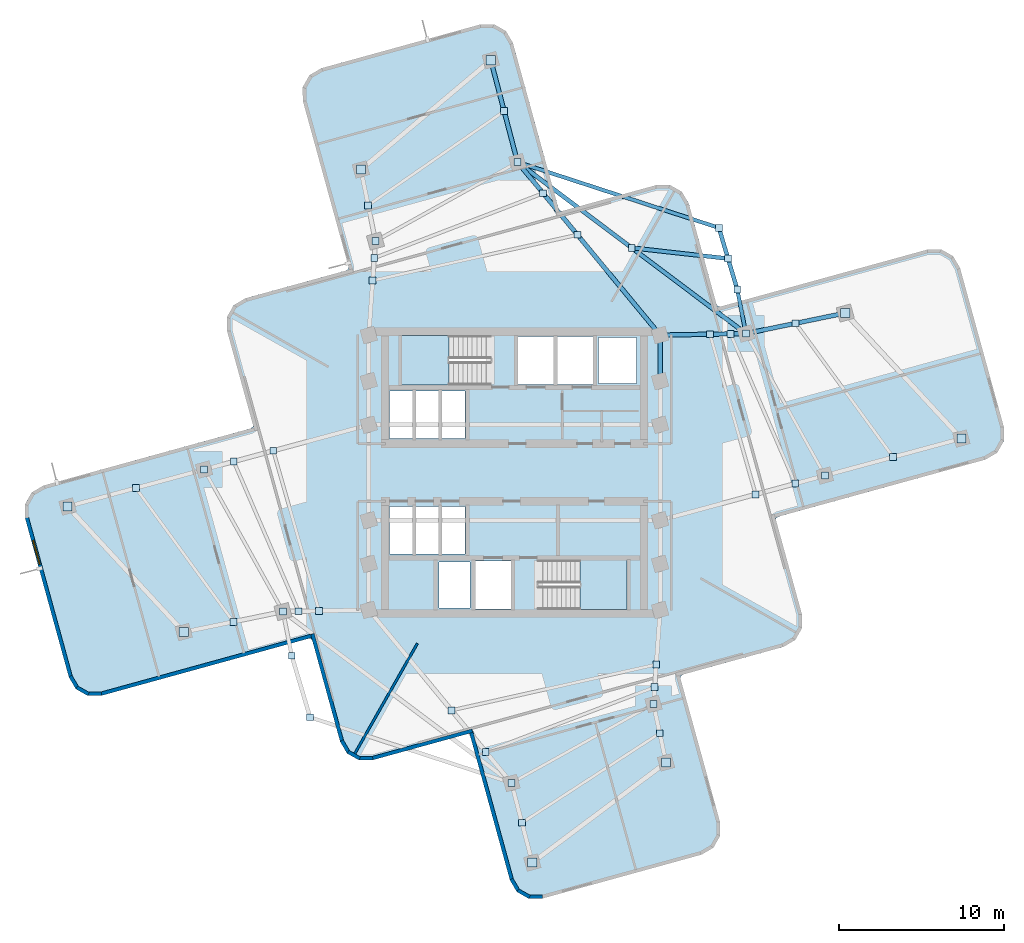
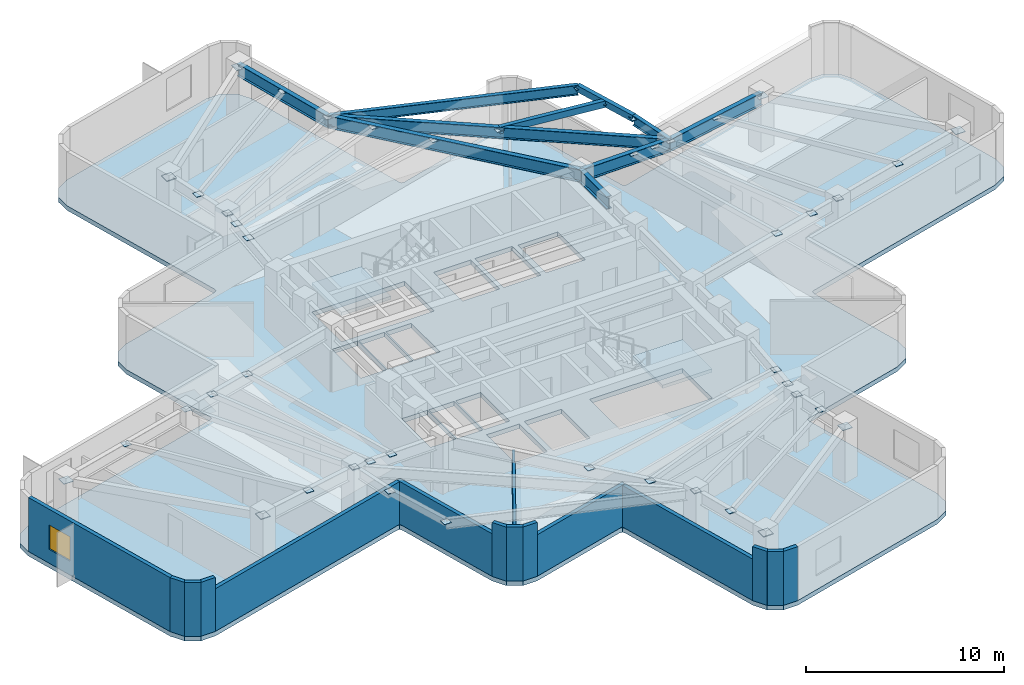
# One storey, part 2 of 8: 46 plates, 15 walls, 10 beams, 3 slabs, 1 window, 1 opening, 2 elements without a shape of their own.
"""IFC4 building model written with IfcOpenShell, lengths in metres."""

from ifc_helpers import new_model, si_unit, direction, frame, frame_2d, origin, origin_2d, place, context, subcontext, project, spatial, polyline, rectangle, hollow_rectangle, i_section, outline, extrude, material, layer, layer_set, material_profile, profile_set, type_object, element, fill, aggregate, save


model = new_model("IFC4")

# Units and contexts
model_context = context("Model", 3, precision=1e-05, world=origin(), true_north=direction((0.0, 1.0)))
body_context = subcontext(model_context, "Body", "Model", "MODEL_VIEW")
ifc_project = project(units=[si_unit("LENGTHUNIT", "METRE"), si_unit("AREAUNIT", "SQUARE_METRE"), si_unit("VOLUMEUNIT", "CUBIC_METRE"), si_unit("PLANEANGLEUNIT", "RADIAN"), si_unit("MASSUNIT", "GRAM", prefix="KILO")], contexts=[model_context])

# Site, building, storey
site_placement = place(None, origin())
site = spatial("IfcSite", under=ifc_project, at=site_placement, CompositionType="ELEMENT")
building_placement = place(site_placement, origin())
building = spatial("IfcBuilding", under=site, at=building_placement, Name="Solmarez Civic Tower", CompositionType="ELEMENT")
storey_placement = place(building_placement, frame((0.0, 0.0, 137.8798828125)))
storey = spatial("IfcBuildingStorey", under=building, at=storey_placement, Name="L36", CompositionType="ELEMENT", Elevation=137.8798828125)

# Beams
ifc_material_1 = material(Name="Steel S355", Category="steel")
ifc_material_profile_1 = material_profile(ifc_material_1, i_section(OverallWidth=0.25390625, OverallDepth=0.68798828125, WebThickness=0.01318359375, FlangeThickness=0.02099609375, at=origin_2d()), Name="W27X102")
ifc_profile_set_1 = profile_set([ifc_material_profile_1], Name="Steel S355")
beam_type_1 = type_object("IfcBeamType", Name="BM-PR-W27X102", PredefinedType="BEAM", material=ifc_profile_set_1)
beam_1_placement = place(storey_placement, frame((14.06396484375, 8.445068359375, 2.97607421875), z_axis=(-0.799878431775, 0.600162056766, 0.0), x_axis=(-0.600162056766, -0.799878431775, 0.0)))
element("IfcBeam", 1, at=beam_1_placement, inside=storey, type_object=beam_type_1, Name="L36 Primary Floor Beam BM-L36-BALC-NEC", PredefinedType="BEAM", context=body_context, shape_type="SweptSolid", body=[
    extrude(i_section(OverallWidth=0.25390625, OverallDepth=0.68798828125, WebThickness=0.01318359375, FlangeThickness=0.02099609375, at=origin_2d()), origin(), (0.0, 0.0, 1.0), 17.353759765625),
])
ifc_material_profile_2 = material_profile(ifc_material_1, i_section(OverallWidth=0.26708984375, OverallDepth=0.761962890625, WebThickness=0.014404296875, FlangeThickness=0.021484375, at=origin_2d()), Name="W30X116")
ifc_profile_set_2 = profile_set([ifc_material_profile_2], Name="Steel S355")
beam_type_2 = type_object("IfcBeamType", Name="BM-PR-W30X116", PredefinedType="BEAM", material=ifc_profile_set_2)
beam_2_placement = place(storey_placement, frame((8.85009765625, 5.550048828125, 2.939208984375), z_axis=(0.0, 1.0, 0.0), x_axis=(-1.0, 0.0, 0.0)))
element("IfcBeam", 2, at=beam_2_placement, inside=storey, type_object=beam_type_2, Name="L36 Primary Floor Beam BM-L36-HC8-HC11", PredefinedType="BEAM", context=body_context, shape_type="SweptSolid", body=[
    extrude(i_section(OverallWidth=0.26708984375, OverallDepth=0.761962890625, WebThickness=0.014404296875, FlangeThickness=0.021484375, at=origin_2d()), origin(), (0.0, 0.0, 1.0), 2.800048828125),
])
beam_3_placement = place(storey_placement, frame((8.85009765625, 8.35009765625, 2.939208984375), z_axis=(0.999834147765, 0.018212000538, 0.0), x_axis=(-0.018212000538, 0.999834147765, 0.0)))
element("IfcBeam", 3, at=beam_3_placement, inside=storey, type_object=beam_type_2, Name="L36 Primary Floor Beam BM-L36-EA-R1B", PredefinedType="BEAM", context=body_context, shape_type="SweptSolid", body=[
    extrude(i_section(OverallWidth=0.26708984375, OverallDepth=0.761962890625, WebThickness=0.014404296875, FlangeThickness=0.021484375, at=origin_2d()), origin(), (0.0, 0.0, 1.0), 5.21484375),
])
beam_4_placement = place(storey_placement, frame((14.06396484375, 8.445068359375, 2.939208984375), z_axis=(0.979311082476, 0.202360578523, 0.0), x_axis=(-0.202360578523, 0.979311082476, 0.0)))
element("IfcBeam", 4, at=beam_4_placement, inside=storey, type_object=beam_type_2, Name="L36 Primary Floor Beam BM-L36-EA-R2B", PredefinedType="BEAM", context=body_context, shape_type="SweptSolid", body=[
    extrude(i_section(OverallWidth=0.26708984375, OverallDepth=0.761962890625, WebThickness=0.014404296875, FlangeThickness=0.021484375, at=origin_2d()), origin(), (0.0, 0.0, 1.0), 6.161376953125),
])
beam_5_placement = place(storey_placement, frame((8.85009765625, 8.35009765625, 2.939208984375), z_axis=(-0.636218453069, 0.77150896299, 0.0), x_axis=(-0.77150896299, -0.636218453069, 0.0)))
element("IfcBeam", 5, at=beam_5_placement, inside=storey, type_object=beam_type_2, Name="L36 Primary Floor Beam BM-L36-NA-R1A", PredefinedType="BEAM", context=body_context, shape_type="SweptSolid", body=[
    extrude(i_section(OverallWidth=0.26708984375, OverallDepth=0.761962890625, WebThickness=0.014404296875, FlangeThickness=0.021484375, at=origin_2d()), origin(), (0.0, 0.0, 1.0), 13.62255859375),
])
beam_6_placement = place(storey_placement, frame((0.18310546875, 18.860107421875, 2.939208984375), z_axis=(-0.25312990791, 0.967432297229, 0.0), x_axis=(-0.967432297229, -0.25312990791, 0.0)))
element("IfcBeam", 6, at=beam_6_placement, inside=storey, type_object=beam_type_2, Name="L36 Primary Floor Beam BM-L36-NA-R2A", PredefinedType="BEAM", context=body_context, shape_type="SweptSolid", body=[
    extrude(i_section(OverallWidth=0.26708984375, OverallDepth=0.761962890625, WebThickness=0.014404296875, FlangeThickness=0.021484375, at=origin_2d()), origin(), (0.0, 0.0, 1.0), 6.400390625),
])
ifc_material_profile_3 = material_profile(ifc_material_1, hollow_rectangle(XDim=0.25, YDim=0.39990234375, WallThickness=0.01611328125, at=origin_2d()), Name="HSS400X250X16")
ifc_profile_set_3 = profile_set([ifc_material_profile_3], Name="Steel S355")
beam_type_3 = type_object("IfcBeamType", Name="BM-SP-HSS400X250", PredefinedType="SPANDREL", material=ifc_profile_set_3)
beam_7_placement = place(storey_placement, frame((13.533935546875, 11.1298828125, 3.1201171875), z_axis=(-0.285607467662, 0.958346688008, 0.0), x_axis=(-0.958346688008, -0.285607467662, 0.0)))
element("IfcBeam", 7, at=beam_7_placement, inside=storey, type_object=beam_type_3, Name="L36 Perimeter Spandrel Beam BM-L36-BALC-NEE", PredefinedType="SPANDREL", context=body_context, shape_type="SweptSolid", body=[
    extrude(hollow_rectangle(XDim=0.25, YDim=0.39990234375, WallThickness=0.01611328125, at=origin_2d()), origin(), (0.0, 0.0, 1.0), 3.900390625),
])
beam_8_placement = place(storey_placement, frame((7.123046875, 13.652099609375, 3.1201171875), z_axis=(0.993834607038, -0.110872782293, 0.0), x_axis=(0.110872782293, 0.993834607038, 0.0)))
element("IfcBeam", 8, at=beam_8_placement, inside=storey, type_object=beam_type_3, Name="L36 Perimeter Spandrel Beam BM-L36-BALC-NEM", PredefinedType="SPANDREL", context=body_context, shape_type="SweptSolid", body=[
    extrude(hollow_rectangle(XDim=0.25, YDim=0.39990234375, WallThickness=0.01611328125, at=origin_2d()), origin(), (0.0, 0.0, 1.0), 5.890380859375),
])
ifc_material_profile_4 = material_profile(ifc_material_1, i_section(OverallWidth=0.22900390625, OverallDepth=0.612060546875, WebThickness=0.011962890625, FlangeThickness=0.01953125, at=origin_2d()), Name="W24X84")
ifc_profile_set_4 = profile_set([ifc_material_profile_4], Name="Steel S355")
beam_type_4 = type_object("IfcBeamType", Name="BM-SP-W24X84", PredefinedType="SPANDREL", material=ifc_profile_set_4)
beam_9_placement = place(storey_placement, frame((14.06396484375, 8.445068359375, 3.01416015625), z_axis=(-0.19367935475, 0.981064884472, 0.0), x_axis=(-0.981064884472, -0.19367935475, 0.0)))
element("IfcBeam", 9, at=beam_9_placement, inside=storey, type_object=beam_type_4, Name="L36 Perimeter Spandrel Beam BM-L36-BALC-NE1", PredefinedType="SPANDREL", context=body_context, shape_type="SweptSolid", body=[
    extrude(i_section(OverallWidth=0.22900390625, OverallDepth=0.612060546875, WebThickness=0.011962890625, FlangeThickness=0.01953125, at=origin_2d()), origin(), (0.0, 0.0, 1.0), 2.736572265625),
])
beam_10_placement = place(storey_placement, frame((0.18310546875, 18.860107421875, 3.01416015625), z_axis=(0.950685834531, -0.310155515866, 0.0), x_axis=(0.310155515866, 0.950685834531, 0.0)))
element("IfcBeam", 10, at=beam_10_placement, inside=storey, type_object=beam_type_4, Name="L36 Perimeter Spandrel Beam BM-L36-BALC-NE2", PredefinedType="SPANDREL", context=body_context, shape_type="SweptSolid", body=[
    extrude(i_section(OverallWidth=0.22900390625, OverallDepth=0.612060546875, WebThickness=0.011962890625, FlangeThickness=0.01953125, at=origin_2d()), origin(), (0.0, 0.0, 1.0), 12.87158203125),
])

# Plates
ifc_layer_1 = layer(ifc_material_1, 0.02392578125)
ifc_layer_set_1 = layer_set([ifc_layer_1], Name="Steel S355")
plate_type_1 = type_object("IfcPlateType", Name="PLT-CAP-380", PredefinedType="USERDEFINED", material=ifc_layer_set_1)
for number, where, z_axis, x_axis, name in (
    (11, (18.860107421875, -0.18310546875, 3.158203125), (0.0, 0.0, 1.0), (1.0, 0.0, 0.0), "Steel Member End Cap Plate CAP-BM-L36-EA-T1-0"),
    (12, (14.06396484375, 8.445068359375, 3.158203125), (0.0, 0.0, 1.0), (1.0, 0.0, 0.0), "Steel Member End Cap Plate CAP-BM-L36-EA-T1-1"),
    (13, (23.006103515625, 0.94091796875, 3.158203125), (0.0, 0.0, 1.0), (1.0, 0.0, 0.0), "Steel Member End Cap Plate CAP-JS-L36-EA-M2-0"),
    (14, (17.0810546875, 9.069091796875, 3.158203125), (0.0, 0.0, 1.0), (1.0, 0.0, 0.0), "Steel Member End Cap Plate CAP-JS-L36-EA-M2-1"),
    (15, (14.656005859375, -1.323974609375, 3.158203125), (0.0, 0.0, 1.0), (1.0, 0.0, 0.0), "Steel Member End Cap Plate CAP-JS-L36-EA-M11-0"),
    (16, (11.8740234375, 8.405029296875, 3.158203125), (0.0, 0.0, 1.0), (1.0, 0.0, 0.0), "Steel Member End Cap Plate CAP-JS-L36-EA-M11-1"),
    (17, (17.05810546875, -0.672119140625, 3.158203125), (0.0, 0.0, 1.0), (1.0, 0.0, 0.0), "Steel Member End Cap Plate CAP-JS-L36-EA-M12-0"),
    (18, (13.125, 8.427978515625, 3.158203125), (0.0, 0.0, 1.0), (1.0, 0.0, 0.0), "Steel Member End Cap Plate CAP-JS-L36-EA-M12-1"),
    (19, (0.18310546875, 18.860107421875, 3.158203125), (0.0, 0.0, 1.0), (1.0, 0.0, 0.0), "Steel Member End Cap Plate CAP-BM-L36-NA-T1-0"),
    (20, (-8.445068359375, 14.06396484375, 3.158203125), (0.0, 0.0, 1.0), (1.0, 0.0, 0.0), "Steel Member End Cap Plate CAP-BM-L36-NA-T1-1"),
    (21, (-0.626953125, 21.9560546875, 3.158203125), (0.0, 0.0, 1.0), (1.0, 0.0, 0.0), "Steel Member End Cap Plate CAP-JS-L36-NA-M2-0"),
    (22, (-8.888916015625, 16.236083984375, 3.158203125), (0.0, 0.0, 1.0), (1.0, 0.0, 0.0), "Steel Member End Cap Plate CAP-JS-L36-NA-M2-1"),
    (23, (3.822998046875, 14.446044921875, 3.158203125), (0.0, 0.0, 1.0), (1.0, 0.0, 0.0), "Steel Member End Cap Plate CAP-JS-L36-NA-M11-0"),
    (24, (-8.614990234375, 11.6640625, 3.158203125), (0.0, 0.0, 1.0), (1.0, 0.0, 0.0), "Steel Member End Cap Plate CAP-JS-L36-NA-M11-1"),
    (25, (1.742919921875, 16.968017578125, 3.158203125), (0.0, 0.0, 1.0), (1.0, 0.0, 0.0), "Steel Member End Cap Plate CAP-JS-L36-NA-M12-0"),
    (26, (-8.51806640625, 13.034912109375, 3.158203125), (0.0, 0.0, 1.0), (1.0, 0.0, 0.0), "Steel Member End Cap Plate CAP-JS-L36-NA-M12-1"),
    (27, (-18.860107421875, 0.18310546875, 3.158203125), (0.0, 0.0, 1.0), (1.0, 0.0, 0.0), "Steel Member End Cap Plate CAP-BM-L36-WA-T1-0"),
    (28, (-14.06396484375, -8.445068359375, 3.158203125), (0.0, 0.0, 1.0), (1.0, 0.0, 0.0), "Steel Member End Cap Plate CAP-BM-L36-WA-T1-1"),
    (29, (-23.006103515625, -0.94091796875, 3.158203125), (0.0, 0.0, 1.0), (1.0, 0.0, 0.0), "Steel Member End Cap Plate CAP-JS-L36-WA-M2-0"),
    (30, (-17.0810546875, -9.069091796875, 3.158203125), (0.0, 0.0, 1.0), (1.0, 0.0, 0.0), "Steel Member End Cap Plate CAP-JS-L36-WA-M2-1"),
    (31, (-14.656005859375, 1.323974609375, 3.158203125), (0.0, 0.0, 1.0), (1.0, 0.0, 0.0), "Steel Member End Cap Plate CAP-JS-L36-WA-M11-0"),
    (32, (-11.8740234375, -8.405029296875, 3.158203125), (0.0, 0.0, 1.0), (1.0, 0.0, 0.0), "Steel Member End Cap Plate CAP-JS-L36-WA-M11-1"),
    (33, (-17.05810546875, 0.672119140625, 3.158203125), (0.0, 0.0, 1.0), (1.0, 0.0, 0.0), "Steel Member End Cap Plate CAP-JS-L36-WA-M12-0"),
    (34, (-13.125, -8.427978515625, 3.158203125), (0.0, 0.0, 1.0), (1.0, 0.0, 0.0), "Steel Member End Cap Plate CAP-JS-L36-WA-M12-1"),
    (35, (-0.18310546875, -18.860107421875, 3.158203125), (0.0, 0.0, 1.0), (1.0, 0.0, 0.0), "Steel Member End Cap Plate CAP-BM-L36-SA-T1-0"),
    (36, (8.445068359375, -14.06396484375, 3.158203125), (0.0, 0.0, 1.0), (1.0, 0.0, 0.0), "Steel Member End Cap Plate CAP-BM-L36-SA-T1-1"),
    (37, (0.449951171875, -21.279052734375, 3.158203125), (0.0, 0.0, 1.0), (1.0, 0.0, 0.0), "Steel Member End Cap Plate CAP-JS-L36-SA-M2-0"),
    (38, (8.825927734375, -15.839111328125, 3.158203125), (0.0, 0.0, 1.0), (1.0, 0.0, 0.0), "Steel Member End Cap Plate CAP-JS-L36-SA-M2-1"),
    (39, (-3.822998046875, -14.446044921875, 3.158203125), (0.0, 0.0, 1.0), (1.0, 0.0, 0.0), "Steel Member End Cap Plate CAP-JS-L36-SA-M11-0"),
    (40, (8.614990234375, -11.6640625, 3.158203125), (0.0, 0.0, 1.0), (1.0, 0.0, 0.0), "Steel Member End Cap Plate CAP-JS-L36-SA-M11-1"),
    (41, (-1.742919921875, -16.968017578125, 3.158203125), (0.0, 0.0, 1.0), (1.0, 0.0, 0.0), "Steel Member End Cap Plate CAP-JS-L36-SA-M12-0"),
    (42, (8.51806640625, -13.034912109375, 3.158203125), (0.0, 0.0, 1.0), (1.0, 0.0, 0.0), "Steel Member End Cap Plate CAP-JS-L36-SA-M12-1"),
    (43, (13.533935546875, 11.1298828125, 3.108154296875), (0.0, 0.0, 1.0), (1.0, 0.0, 0.0), "Steel Member End Cap Plate CAP-BM-L36-BALC-NEE-0"),
    (44, (12.419921875, 14.867919921875, 3.108154296875), (0.0, 0.0, 1.0), (1.0, 0.0, 0.0), "Steel Member End Cap Plate CAP-BM-L36-BALC-NEE-1"),
    (45, (7.123046875, 13.652099609375, 3.108154296875), (0.0, 0.0, 1.0), (1.0, 0.0, 0.0), "Steel Member End Cap Plate CAP-BM-L36-BALC-NEM-0"),
    (46, (12.97705078125, 12.9990234375, 3.108154296875), (0.0, 0.0, 1.0), (1.0, 0.0, 0.0), "Steel Member End Cap Plate CAP-BM-L36-BALC-NEM-1"),
    (47, (-13.533935546875, -11.1298828125, 3.108154296875), (0.0, 0.0, 1.0), (1.0, 0.0, 0.0), "Steel Member End Cap Plate CAP-BM-L36-BALC-SWE-0"),
    (48, (-12.419921875, -14.867919921875, 3.108154296875), (0.0, 0.0, 1.0), (1.0, 0.0, 0.0), "Steel Member End Cap Plate CAP-BM-L36-BALC-SWE-1"),
):
    element("IfcPlate", number, at=place(storey_placement, frame(where, z_axis=z_axis, x_axis=x_axis)), inside=storey, type_object=plate_type_1, Name=name, ObjectType="CAP_PLATE", PredefinedType="USERDEFINED", context=body_context, shape_type="SweptSolid", body=[
        extrude(rectangle(XDim=0.419921875, YDim=0.419921875, at=origin_2d()), origin(), (0.0, 0.0, 1.0), 0.02392578125),
    ])
ifc_layer_2 = layer(ifc_material_1, 0.028076171875)
ifc_layer_set_2 = layer_set([ifc_layer_2], Name="Steel S355")
plate_type_2 = type_object("IfcPlateType", Name="PLT-CAP-540", PredefinedType="USERDEFINED", material=ifc_layer_set_2)
for number, where, z_axis, x_axis, name in (
    (49, (27.153076171875, 2.06396484375, 3.05615234375), (0.0, 0.0, 1.0), (1.0, 0.0, 0.0), "Steel Member End Cap Plate CAP-BM-L36-EA-T2-0"),
    (50, (20.097900390625, 9.69189453125, 3.05615234375), (0.0, 0.0, 1.0), (1.0, 0.0, 0.0), "Steel Member End Cap Plate CAP-BM-L36-EA-T2-1"),
    (51, (-1.43701171875, 25.052001953125, 3.05615234375), (0.0, 0.0, 1.0), (1.0, 0.0, 0.0), "Steel Member End Cap Plate CAP-BM-L36-NA-T2-0"),
    (52, (-9.3330078125, 18.408935546875, 3.05615234375), (0.0, 0.0, 1.0), (1.0, 0.0, 0.0), "Steel Member End Cap Plate CAP-BM-L36-NA-T2-1"),
    (53, (-27.153076171875, -2.06396484375, 3.05615234375), (0.0, 0.0, 1.0), (1.0, 0.0, 0.0), "Steel Member End Cap Plate CAP-BM-L36-WA-T2-0"),
    (54, (-20.097900390625, -9.69189453125, 3.05615234375), (0.0, 0.0, 1.0), (1.0, 0.0, 0.0), "Steel Member End Cap Plate CAP-BM-L36-WA-T2-1"),
    (55, (1.0830078125, -23.697021484375, 3.05615234375), (0.0, 0.0, 1.0), (1.0, 0.0, 0.0), "Steel Member End Cap Plate CAP-BM-L36-SA-T2-0"),
    (56, (9.2080078125, -17.614990234375, 3.05615234375), (0.0, 0.0, 1.0), (1.0, 0.0, 0.0), "Steel Member End Cap Plate CAP-BM-L36-SA-T2-1"),
):
    element("IfcPlate", number, at=place(storey_placement, frame(where, z_axis=z_axis, x_axis=x_axis)), inside=storey, type_object=plate_type_2, Name=name, ObjectType="CAP_PLATE", PredefinedType="USERDEFINED", context=body_context, shape_type="SweptSolid", body=[
        extrude(rectangle(XDim=0.56005859375, YDim=0.56005859375, at=origin_2d()), origin(), (0.0, 0.0, 1.0), 0.028076171875),
    ])

# Stair, slab
ifc_material_2 = material(Name="Concrete C50/60", Category="concrete")
stair_type = type_object("IfcStairType", Name="STAIR-DOGLEG-140W-20R-1800", PredefinedType="HALF_TURN_STAIR", material=ifc_material_2)
stair_1_placement = place(storey_placement, origin())
stair_1 = element("IfcStair", 57, at=stair_1_placement, inside=storey, type_object=stair_type, Name="L36 North Core Protected Exit Stair ST-1", PredefinedType="HALF_TURN_STAIR")
ifc_layer_3 = layer(ifc_material_2, 0.199951171875)
ifc_layer_set_3 = layer_set([ifc_layer_3], Name="Concrete C50/60")
slab_type_1 = type_object("IfcSlabType", Name="SLAB-LANDING-200", PredefinedType="LANDING", material=ifc_layer_set_3)
slab_1_placement = place(storey_placement, frame((0.0, 0.0, 1.60009765625)))
slab_1 = element("IfcSlab", 58, at=slab_1_placement, type_object=slab_type_1, Name="ST-1 landing 1", PredefinedType="LANDING", context=body_context, shape_type="SweptSolid", body=[
    extrude(outline(polyline([(-3.969970703125, 8.320068359375), (-6.85009765625, 8.320068359375), (-6.85009765625, 5.320068359375), (-3.969970703125, 5.320068359375), (-3.969970703125, 8.320068359375)])), origin(), (0.0, 0.0, 1.0), 0.199951171875),
])
aggregate(stair_1, [slab_1])

stair_2_placement = place(storey_placement, origin())
stair_2 = element("IfcStair", 59, at=stair_2_placement, inside=storey, type_object=stair_type, Name="L36 South Core Protected Exit Stair ST-2", PredefinedType="HALF_TURN_STAIR")
slab_2_placement = place(storey_placement, frame((0.0, 0.0, 1.60009765625)))
slab_2 = element("IfcSlab", 60, at=slab_2_placement, type_object=slab_type_1, Name="ST-2 landing 1", PredefinedType="LANDING", context=body_context, shape_type="SweptSolid", body=[
    extrude(outline(polyline([(3.969970703125, -8.320068359375), (6.85009765625, -8.320068359375), (6.85009765625, -5.320068359375), (3.969970703125, -5.320068359375), (3.969970703125, -8.320068359375)])), origin(), (0.0, 0.0, 1.0), 0.199951171875),
])
aggregate(stair_2, [slab_2])

# Slab
ifc_layer_4 = layer(ifc_material_2, 0.280029296875)
ifc_layer_set_4 = layer_set([ifc_layer_4], Name="Concrete C50/60")
slab_type_2 = type_object("IfcSlabType", Name="SLAB-TOWER-280", PredefinedType="FLOOR", material=ifc_layer_set_4)
slab_3_placement = place(storey_placement, frame((0.0, 0.0, -0.27978515625)))
element("IfcSlab", 61, at=slab_3_placement, inside=storey, type_object=slab_type_2, Name="L36 Structural Slab", PredefinedType="FLOOR", context=body_context, shape_type="SweptSolid", body=[
    extrude(outline(polyline([(-12.27197265625, -10.237060546875), (-10.589111328125, -16.34912109375), (-10.169921875, -17.06298828125), (-9.448974609375, -17.471923828125), (-8.62109375, -17.467041015625), (-2.93408203125, -15.89990234375), (-2.761962890625, -15.89892578125), (-2.675048828125, -16.047119140625), (-0.27392578125, -24.761962890625), (0.14501953125, -25.47607421875), (0.864990234375, -25.885009765625), (1.693115234375, -25.8798828125), (11.373046875, -23.212890625), (12.0869140625, -22.7939453125), (12.49609375, -22.073974609375), (12.489990234375, -21.24609375), (10.090087890625, -12.531005859375), (10.089111328125, -12.35888671875), (10.237060546875, -12.27197265625), (16.34912109375, -10.589111328125), (17.06298828125, -10.169921875), (17.471923828125, -9.448974609375), (17.467041015625, -8.62109375), (15.89990234375, -2.93408203125), (15.89892578125, -2.761962890625), (16.047119140625, -2.675048828125), (28.617919921875, 0.7880859375), (29.3330078125, 1.20703125), (29.741943359375, 1.927001953125), (29.736083984375, 2.7548828125), (27.070068359375, 12.43505859375), (26.65087890625, 13.14892578125), (25.929931640625, 13.55810546875), (25.10205078125, 13.552978515625), (12.531005859375, 10.090087890625), (12.35888671875, 10.089111328125), (12.27197265625, 10.237060546875), (10.589111328125, 16.34912109375), (10.169921875, 17.06298828125), (9.448974609375, 17.471923828125), (8.62109375, 17.467041015625), (2.93408203125, 15.89990234375), (2.761962890625, 15.89892578125), (2.675048828125, 16.047119140625), (-0.097900390625, 26.112060546875), (-0.51708984375, 26.825927734375), (-1.237060546875, 27.235107421875), (-2.06494140625, 27.22900390625), (-11.7451171875, 24.56298828125), (-12.458984375, 24.14404296875), (-12.867919921875, 23.424072265625), (-12.862060546875, 22.595947265625), (-10.090087890625, 12.531005859375), (-10.089111328125, 12.35888671875), (-10.237060546875, 12.27197265625), (-16.34912109375, 10.589111328125), (-17.06298828125, 10.169921875), (-17.471923828125, 9.448974609375), (-17.467041015625, 8.62109375), (-15.89990234375, 2.93408203125), (-15.89892578125, 2.761962890625), (-16.047119140625, 2.675048828125), (-28.617919921875, -0.7880859375), (-29.3330078125, -1.20703125), (-29.741943359375, -1.927001953125), (-29.736083984375, -2.7548828125), (-27.070068359375, -12.43505859375), (-26.65087890625, -13.14892578125), (-25.929931640625, -13.55810546875), (-25.10205078125, -13.552978515625), (-12.531005859375, -10.090087890625), (-12.35888671875, -10.089111328125), (-12.27197265625, -10.237060546875)]), holes=[polyline([(-1.449951171875, 8.320068359375), (-6.85009765625, 8.320068359375), (-6.85009765625, 5.320068359375), (-1.449951171875, 5.320068359375), (-1.449951171875, 8.320068359375)]), polyline([(1.449951171875, -8.320068359375), (6.85009765625, -8.320068359375), (6.85009765625, -5.320068359375), (1.449951171875, -5.320068359375), (1.449951171875, -8.320068359375)]), polyline([(0.219970703125, 5.360107421875), (2.3798828125, 5.360107421875), (2.3798828125, 8.280029296875), (0.219970703125, 8.280029296875), (0.219970703125, 5.360107421875)]), polyline([(2.6201171875, 5.360107421875), (4.780029296875, 5.360107421875), (4.780029296875, 8.280029296875), (2.6201171875, 8.280029296875), (2.6201171875, 5.360107421875)]), polyline([(-2.3798828125, -8.280029296875), (-0.219970703125, -8.280029296875), (-0.219970703125, -5.360107421875), (-2.3798828125, -5.360107421875), (-2.3798828125, -8.280029296875)]), polyline([(-7.60009765625, -4.9599609375), (-6.1201171875, -4.9599609375), (-6.1201171875, -2.06005859375), (-7.60009765625, -2.06005859375), (-7.60009765625, -4.9599609375)]), polyline([(-6.0400390625, -4.9599609375), (-4.56005859375, -4.9599609375), (-4.56005859375, -2.06005859375), (-6.0400390625, -2.06005859375), (-6.0400390625, -4.9599609375)]), polyline([(-4.47998046875, -4.9599609375), (-3.0, -4.9599609375), (-3.0, -2.06005859375), (-4.47998046875, -2.06005859375), (-4.47998046875, -4.9599609375)]), polyline([(-7.60009765625, 2.06005859375), (-6.1201171875, 2.06005859375), (-6.1201171875, 4.9599609375), (-7.60009765625, 4.9599609375), (-7.60009765625, 2.06005859375)]), polyline([(-6.0400390625, 2.06005859375), (-4.56005859375, 2.06005859375), (-4.56005859375, 4.9599609375), (-6.0400390625, 4.9599609375), (-6.0400390625, 2.06005859375)]), polyline([(-4.47998046875, 2.06005859375), (-3.0, 2.06005859375), (-3.0, 4.9599609375), (-4.47998046875, 4.9599609375), (-4.47998046875, 2.06005859375)]), polyline([(5.10009765625, 5.419921875), (7.39990234375, 5.419921875), (7.39990234375, 8.219970703125), (5.10009765625, 8.219970703125), (5.10009765625, 5.419921875)]), polyline([(-4.60009765625, -8.219970703125), (-2.699951171875, -8.219970703125), (-2.699951171875, -5.419921875), (-4.60009765625, -5.419921875), (-4.60009765625, -8.219970703125)])]), origin(), (0.0, 0.0, 1.0), 0.27978515625),
])

# Walls
ifc_material_3 = material(Name="Precast concrete C40/50", Category="concrete")
ifc_layer_5 = layer(ifc_material_3, 0.219970703125)
ifc_layer_set_5 = layer_set([ifc_layer_5], Name="Precast concrete C40/50")
wall_type_1 = type_object("IfcWallType", Name="WALL-EXT-220", PredefinedType="SOLIDWALL", material=ifc_layer_set_5)
wall_1_placement = place(storey_placement, frame((-12.166015625, -9.8759765625, 0.0), z_axis=(0.0, 0.0, 1.0), x_axis=(-0.964099811745, -0.2655401156, 0.0)))
element("IfcWall", 62, at=wall_1_placement, inside=storey, type_object=wall_type_1, Name="L36 Exterior Precast Wall 2", PredefinedType="SOLIDWALL", context=body_context, shape_type="SweptSolid", body=[
    extrude(rectangle(XDim=13.459228515625, YDim=0.219970703125, at=frame_2d((6.7294921875, 0.0))), origin(), (0.0, 0.0, 1.0), 2.6240234375),
])
wall_2_placement = place(storey_placement, frame((-25.093017578125, -13.443115234375, 0.0), z_axis=(0.0, 0.0, 1.0), x_axis=(-0.999982861094, -0.005854700592, 0.0)))
element("IfcWall", 63, at=wall_2_placement, inside=storey, type_object=wall_type_1, Name="L36 Exterior Precast Wall 3", PredefinedType="SOLIDWALL", context=body_context, shape_type="SweptSolid", body=[
    extrude(rectangle(XDim=0.833984375, YDim=0.219970703125, at=frame_2d((0.4169921875, 0.0))), origin(), (0.0, 0.0, 1.0), 3.320068359375),
])
wall_3_placement = place(storey_placement, frame((-25.8798828125, -13.4599609375, 0.0), z_axis=(0.0, 0.0, 1.0), x_axis=(-0.87005199541, 0.492959963164, 0.0)))
element("IfcWall", 64, at=wall_3_placement, inside=storey, type_object=wall_type_1, Name="L36 Exterior Precast Wall 4", PredefinedType="SOLIDWALL", context=body_context, shape_type="SweptSolid", body=[
    extrude(rectangle(XDim=0.819580078125, YDim=0.219970703125, at=frame_2d((0.40966796875, 0.0))), origin(), (0.0, 0.0, 1.0), 3.320068359375),
])
wall_4_placement = place(storey_placement, frame((-26.55810546875, -13.090087890625, 0.0), z_axis=(0.0, 0.0, 1.0), x_axis=(-0.506432207312, 0.862279780232, 0.0)))
element("IfcWall", 65, at=wall_4_placement, inside=storey, type_object=wall_type_1, Name="L36 Exterior Precast Wall 5", PredefinedType="SOLIDWALL", context=body_context, shape_type="SweptSolid", body=[
    extrude(rectangle(XDim=0.8349609375, YDim=0.219970703125, at=frame_2d((0.41748046875, 0.0))), origin(), (0.0, 0.0, 1.0), 3.320068359375),
])

# Wall, opening, window
wall_5_placement = place(storey_placement, frame((-26.9609375, -12.416015625, 0.0), z_axis=(0.0, 0.0, 1.0), x_axis=(-0.265584520086, 0.964087580405, 0.0)))
wall_5 = element("IfcWall", 66, at=wall_5_placement, inside=storey, type_object=wall_type_1, Name="L36 Exterior Precast Wall 6", PredefinedType="SOLIDWALL", context=body_context, shape_type="SweptSolid", body=[
    extrude(rectangle(XDim=10.061279296875, YDim=0.219970703125, at=frame_2d((5.03076171875, 0.0))), origin(), (0.0, 0.0, 1.0), 3.320068359375),
])
opening_placement = place(wall_5_placement, frame((7.097900390625, 0.0, 0.85009765625)))
opening = element("IfcOpeningElement", 67, at=opening_placement, cuts=wall_5, Name="Opening W-14", PredefinedType="OPENING", context=body_context, shape_type="SweptSolid", body=[
    extrude(rectangle(XDim=1.5, YDim=1.5, at=frame_2d((0.75, 0.75))), frame((0.0, 0.119873046875, 0.0), z_axis=(0.0, -1.0, 0.0), x_axis=(1.0, 0.0, 0.0)), (0.0, 0.0, 1.0), 0.239990234375),
])
ifc_material_4 = material(Name="Solar Control Bronze-Tinted Insulating Glass", Category="glass")
window_type = type_object("IfcWindowType", Name="WIN-1500X1500", PartitioningType="SINGLE_PANEL", PredefinedType="WINDOW", material=ifc_material_4)
window_placement = place(opening_placement, origin())
window = element("IfcWindow", 68, at=window_placement, inside=storey, type_object=window_type, Name="L36 Exterior Facade Window 6", OverallHeight=1.5, OverallWidth=1.5, PartitioningType="SINGLE_PANEL", PredefinedType="WINDOW", context=body_context, shape_type="SweptSolid", body=[
    extrude(rectangle(XDim=1.5, YDim=1.5, at=frame_2d((0.75, 0.75))), frame((0.0, 0.030029296875, 0.0), z_axis=(0.0, -1.0, 0.0), x_axis=(1.0, 0.0, 0.0)), (0.0, 0.0, 1.0), 0.06005859375),
])
fill(opening, window)

# Walls
wall_6_placement = place(storey_placement, frame((1.702880859375, -25.77001953125, 0.0), z_axis=(0.0, 0.0, 1.0), x_axis=(-0.999982861094, -0.005854700592, 0.0)))
element("IfcWall", 69, at=wall_6_placement, inside=storey, type_object=wall_type_1, Name="L36 Exterior Precast Wall 61", PredefinedType="SOLIDWALL", context=body_context, shape_type="SweptSolid", body=[
    extrude(rectangle(XDim=0.833984375, YDim=0.219970703125, at=frame_2d((0.4169921875, 0.0))), origin(), (0.0, 0.0, 1.0), 3.320068359375),
])
wall_7_placement = place(storey_placement, frame((0.916015625, -25.787109375, 0.0), z_axis=(0.0, 0.0, 1.0), x_axis=(-0.87005199541, 0.492959963164, 0.0)))
element("IfcWall", 70, at=wall_7_placement, inside=storey, type_object=wall_type_1, Name="L36 Exterior Precast Wall 62", PredefinedType="SOLIDWALL", context=body_context, shape_type="SweptSolid", body=[
    extrude(rectangle(XDim=0.819580078125, YDim=0.219970703125, at=frame_2d((0.40966796875, 0.0))), origin(), (0.0, 0.0, 1.0), 3.320068359375),
])
wall_8_placement = place(storey_placement, frame((0.238037109375, -25.4169921875, 0.0), z_axis=(0.0, 0.0, 1.0), x_axis=(-0.506649564178, 0.86215208584, 0.0)))
element("IfcWall", 71, at=wall_8_placement, inside=storey, type_object=wall_type_1, Name="L36 Exterior Precast Wall 63", PredefinedType="SOLIDWALL", context=body_context, shape_type="SweptSolid", body=[
    extrude(rectangle(XDim=0.835205078125, YDim=0.219970703125, at=frame_2d((0.41748046875, 0.0))), origin(), (0.0, 0.0, 1.0), 3.320068359375),
])
wall_9_placement = place(storey_placement, frame((-0.1650390625, -24.742919921875, 0.0), z_axis=(0.0, 0.0, 1.0), x_axis=(-0.265479834686, 0.964116412771, 0.0)))
element("IfcWall", 72, at=wall_9_placement, inside=storey, type_object=wall_type_1, Name="L36 Exterior Precast Wall 64", PredefinedType="SOLIDWALL", context=body_context, shape_type="SweptSolid", body=[
    extrude(rectangle(XDim=9.458251953125, YDim=0.219970703125, at=frame_2d((4.72900390625, 0.0))), origin(), (0.0, 0.0, 1.0), 2.550048828125),
])
wall_10_placement = place(storey_placement, frame((-2.568115234375, -15.68603515625, 0.0), z_axis=(0.0, 0.0, 1.0), x_axis=(-0.964094670911, -0.265558779784, 0.0)))
element("IfcWall", 73, at=wall_10_placement, inside=storey, type_object=wall_type_1, Name="L36 Exterior Precast Wall 67", PredefinedType="SOLIDWALL", context=body_context, shape_type="SweptSolid", body=[
    extrude(rectangle(XDim=6.318603515625, YDim=0.219970703125, at=frame_2d((3.1591796875, 0.0))), origin(), (0.0, 0.0, 1.0), 2.550048828125),
])
wall_11_placement = place(storey_placement, frame((-8.611083984375, -17.35693359375, 0.0), z_axis=(0.0, 0.0, 1.0), x_axis=(-0.999981148579, -0.006140235123, 0.0)))
element("IfcWall", 74, at=wall_11_placement, inside=storey, type_object=wall_type_1, Name="L36 Exterior Precast Wall 68", PredefinedType="SOLIDWALL", context=body_context, shape_type="SweptSolid", body=[
    extrude(rectangle(XDim=0.8349609375, YDim=0.219970703125, at=frame_2d((0.41748046875, 0.0))), origin(), (0.0, 0.0, 1.0), 3.320068359375),
])
wall_12_placement = place(storey_placement, frame((-9.39892578125, -17.3740234375, 0.0), z_axis=(0.0, 0.0, 1.0), x_axis=(-0.87005199541, 0.492959963164, 0.0)))
element("IfcWall", 75, at=wall_12_placement, inside=storey, type_object=wall_type_1, Name="L36 Exterior Precast Wall 69", PredefinedType="SOLIDWALL", context=body_context, shape_type="SweptSolid", body=[
    extrude(rectangle(XDim=0.819580078125, YDim=0.219970703125, at=frame_2d((0.40966796875, 0.0))), origin(), (0.0, 0.0, 1.0), 3.320068359375),
])
wall_13_placement = place(storey_placement, frame((-10.076904296875, -17.00390625, 0.0), z_axis=(0.0, 0.0, 1.0), x_axis=(-0.505779557172, 0.862662761192, 0.0)))
element("IfcWall", 76, at=wall_13_placement, inside=storey, type_object=wall_type_1, Name="L36 Exterior Precast Wall 70", PredefinedType="SOLIDWALL", context=body_context, shape_type="SweptSolid", body=[
    extrude(rectangle(XDim=0.83447265625, YDim=0.219970703125, at=frame_2d((0.417236328125, 0.0))), origin(), (0.0, 0.0, 1.0), 3.320068359375),
])
wall_14_placement = place(storey_placement, frame((-10.47900390625, -16.330078125, 0.0), z_axis=(0.0, 0.0, 1.0), x_axis=(-0.265567840793, 0.964092175021, 0.0)))
element("IfcWall", 77, at=wall_14_placement, inside=storey, type_object=wall_type_1, Name="L36 Exterior Precast Wall 71", PredefinedType="SOLIDWALL", context=body_context, shape_type="SweptSolid", body=[
    extrude(rectangle(XDim=6.7587890625, YDim=0.219970703125, at=frame_2d((3.37939453125, 0.0))), origin(), (0.0, 0.0, 1.0), 2.6240234375),
])
ifc_material_5 = material(Name="Gypsum Board Acoustic Steel-Stud Partition", Category="steel")
ifc_layer_6 = layer(ifc_material_5, 0.14501953125)
ifc_layer_set_6 = layer_set([ifc_layer_6], Name="Gypsum Board Acoustic Steel-Stud Partition")
wall_type_2 = type_object("IfcWallType", Name="WALL-INT-PART-150", PredefinedType="PARTITIONING", material=ifc_layer_set_6)
wall_15_placement = place(storey_placement, frame((-5.89697265625, -10.3798828125, 0.0), z_axis=(0.0, 0.0, 1.0), x_axis=(-0.49389771586, -0.869520009125, 0.0)))
element("IfcWall", 78, at=wall_15_placement, inside=storey, type_object=wall_type_2, Name="L36 Interior Partition PT-L36-QDIV-3", PredefinedType="PARTITIONING", context=body_context, shape_type="SweptSolid", body=[
    extrude(rectangle(XDim=7.736572265625, YDim=0.14501953125, at=frame_2d((3.8681640625, 0.0))), origin(), (0.0, 0.0, 1.0), 2.550048828125),
])

save(model, "model.ifc")
